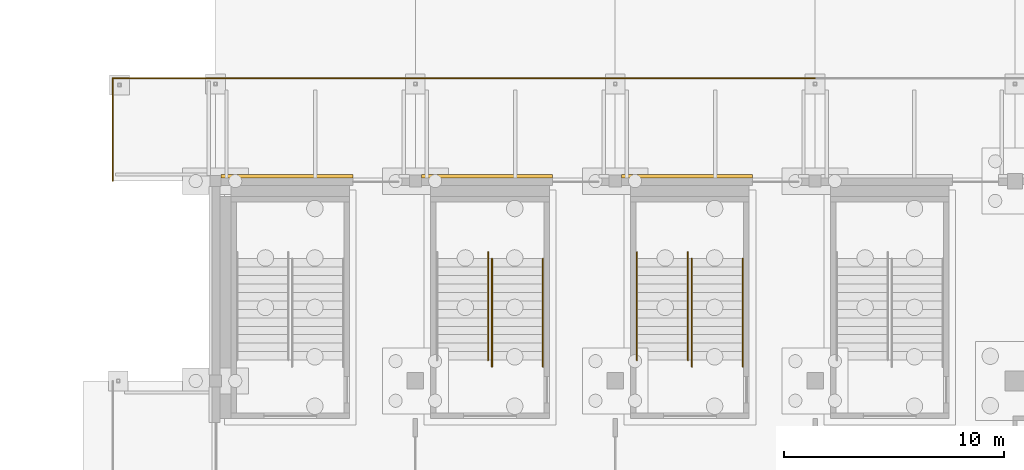
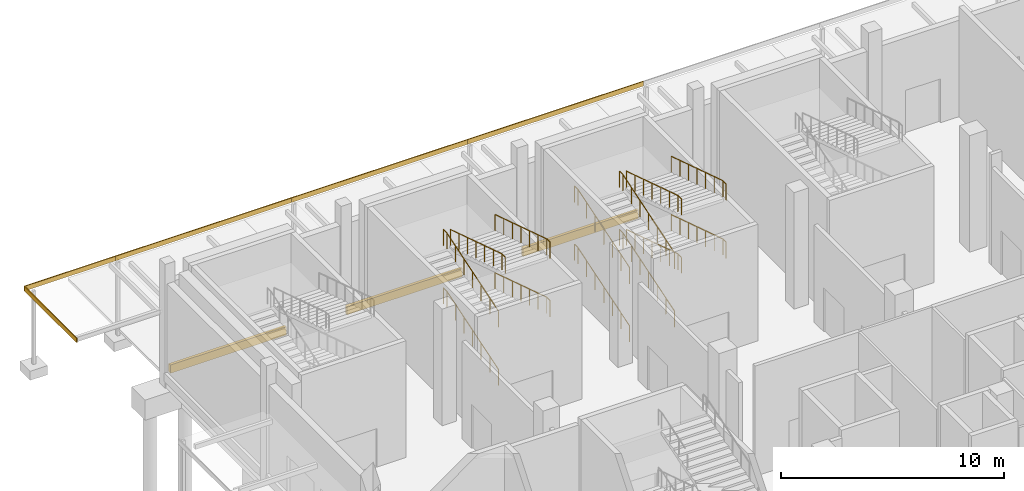
# One storey, part 111 of 129: 13 railings, 8 coverings.
"""IFC4 building model written with IfcOpenShell, lengths in metres."""

from ifc_helpers import new_model, si_unit, direction, frame, origin, origin_2d, place, context, subcontext, project, spatial, rectangle, circle, extrude, material, layer, layer_set, type_object, element, save


model = new_model("IFC4")

# Units and contexts
model_context = context("Model", 3, precision=1e-05, world=origin(), true_north=direction((0.0, 1.0)))
body_context = subcontext(model_context, "Body", "Model", "MODEL_VIEW")
ifc_project = project(units=[si_unit("LENGTHUNIT", "METRE"), si_unit("AREAUNIT", "SQUARE_METRE"), si_unit("VOLUMEUNIT", "CUBIC_METRE"), si_unit("PLANEANGLEUNIT", "RADIAN"), si_unit("MASSUNIT", "GRAM", prefix="KILO")], contexts=[model_context])

# Site, building, storey
site_placement = place(None, origin())
site = spatial("IfcSite", under=ifc_project, at=site_placement, CompositionType="ELEMENT")
building_placement = place(site_placement, origin())
building = spatial("IfcBuilding", under=site, at=building_placement, Name="Shirokan Park Arena", CompositionType="ELEMENT")
storey_placement = place(building_placement, origin())
storey = spatial("IfcBuildingStorey", under=building, at=storey_placement, Name="L00", CompositionType="ELEMENT", Elevation=0.0)

# Coverings
ifc_material_1 = material(Name="Timber fascia (cedar)", Category="wood")
ifc_layer_1 = layer(ifc_material_1, 0.050048828125)
ifc_layer_set_1 = layer_set([ifc_layer_1], Name="Timber fascia (cedar) 50 mm")
covering_type_1 = type_object("IfcCoveringType", Name="Canopy fascia 50x250", PredefinedType="CLADDING", material=ifc_layer_set_1)
for number, where, z_axis, x_axis, name in (
    (1, (22.75, 113.875, 3.5), (0.0, 0.0, 1.0), (-1.0, 0.0, 0.0), "Canopy fascia north bay 14"),
    (2, (13.64990234375, 113.875, 3.5), (0.0, 0.0, 1.0), (-1.0, 0.0, 0.0), "Canopy fascia north bay 15"),
    (3, (4.550048828125, 113.875, 3.5), (0.0, 0.0, 1.0), (-1.0, 0.0, 0.0), "Canopy fascia north bay 16"),
):
    element("IfcCovering", number, at=place(storey_placement, frame(where, z_axis=z_axis, x_axis=x_axis)), inside=storey, type_object=covering_type_1, Name=name, PredefinedType="CLADDING", context=body_context, shape_type="SweptSolid", body=[
        extrude(rectangle(XDim=9.10009765625, YDim=0.050048828125, at=origin_2d()), origin(), (0.0, 0.0, 1.0), 0.25),
    ])
covering_1_placement = place(storey_placement, frame((-2.35009765625, 113.875, 3.5), z_axis=(0.0, 0.0, 1.0), x_axis=(1.0, 0.0, 0.0)))
element("IfcCovering", 4, at=covering_1_placement, inside=storey, type_object=covering_type_1, Name="Canopy fascia NW corner 1", PredefinedType="CLADDING", context=body_context, shape_type="SweptSolid", body=[
    extrude(rectangle(XDim=4.699951171875, YDim=0.050048828125, at=origin_2d()), origin(), (0.0, 0.0, 1.0), 0.25),
])
covering_2_placement = place(storey_placement, frame((-4.675048828125, 111.52490234375, 3.5), z_axis=(0.0, 0.0, 1.0), x_axis=(1.0, 0.0, 0.0)))
element("IfcCovering", 5, at=covering_2_placement, inside=storey, type_object=covering_type_1, Name="Canopy fascia NW corner 2", PredefinedType="CLADDING", context=body_context, shape_type="SweptSolid", body=[
    extrude(rectangle(XDim=0.050048828125, YDim=4.64990234375, at=origin_2d()), origin(), (0.0, 0.0, 1.0), 0.25),
])

# Railings
ifc_material_2 = material(Name="Stainless steel", Category="steel")
railing_type = type_object("IfcRailingType", Name="Stair handrail 900", PredefinedType="HANDRAIL", material=ifc_material_2)
railing_1_placement = place(storey_placement, frame((12.409912109375, 101.050048828125, 0.12255859375)))
element("IfcRailing", 6, at=railing_1_placement, inside=storey, type_object=railing_type, Name="Handrail Exit Stair 4.B L00 to L01", PredefinedType="HANDRAIL", context=body_context, shape_type="SweptSolid", body=[
    extrude(circle(Radius=0.02392578125, at=origin_2d()), frame((0.0, 0.0, 0.8759765625), z_axis=(0.0, 0.952929747917, 0.303191186441), x_axis=(-1.0, 0.0, 0.0)), (0.0, 0.0, 1.0), 1.6162109375),
    extrude(circle(Radius=0.02392578125, at=origin_2d()), frame((0.0, 1.5400390625, 1.36572265625), z_axis=(0.0, 0.952915858112, 0.303234838629), x_axis=(-1.0, 0.0, 0.0)), (0.0, 0.0, 1.0), 1.615966796875),
    extrude(circle(Radius=0.02392578125, at=origin_2d()), frame((0.0, 3.079833984375, 1.85595703125), z_axis=(0.0, 0.952929747917, 0.303191186441), x_axis=(-1.0, 0.0, 0.0)), (0.0, 0.0, 1.0), 1.6162109375),
    extrude(circle(Radius=0.02392578125, at=origin_2d()), frame((0.0, 4.619873046875, 2.345703125), z_axis=(0.0, 1.0, 0.0), x_axis=(-1.0, 0.0, 0.0)), (0.0, 0.0, 1.0), 0.300048828125),
    extrude(circle(Radius=0.02099609375, at=origin_2d()), origin(), (0.0, 0.0, 1.0), 0.851806640625),
    extrude(circle(Radius=0.02099609375, at=origin_2d()), frame((0.0, 0.77001953125, 0.2451171875)), (0.0, 0.0, 1.0), 0.851806640625),
    extrude(circle(Radius=0.02099609375, at=origin_2d()), frame((0.0, 1.5400390625, 0.489990234375)), (0.0, 0.0, 1.0), 0.851806640625),
    extrude(circle(Radius=0.02099609375, at=origin_2d()), frame((0.0, 2.31005859375, 0.73486328125)), (0.0, 0.0, 1.0), 0.851806640625),
    extrude(circle(Radius=0.02099609375, at=origin_2d()), frame((0.0, 3.079833984375, 0.97998046875)), (0.0, 0.0, 1.0), 0.851806640625),
    extrude(circle(Radius=0.02099609375, at=origin_2d()), frame((0.0, 3.849853515625, 1.22509765625)), (0.0, 0.0, 1.0), 0.851806640625),
    extrude(circle(Radius=0.02099609375, at=origin_2d()), frame((0.0, 4.619873046875, 1.469970703125)), (0.0, 0.0, 1.0), 0.851806640625),
    extrude(circle(Radius=0.02099609375, at=origin_2d()), frame((0.0, 4.919921875, 1.469970703125)), (0.0, 0.0, 1.0), 0.851806640625),
])
railing_2_placement = place(storey_placement, frame((14.909912109375, 105.669921875, 1.715087890625)))
element("IfcRailing", 7, at=railing_2_placement, inside=storey, type_object=railing_type, Name="Handrail Exit Stair 4.B L00 to L01", PredefinedType="HANDRAIL", context=body_context, shape_type="SweptSolid", body=[
    extrude(circle(Radius=0.02392578125, at=origin_2d()), frame((0.0, 0.0, 0.8759765625), z_axis=(0.0, -0.952929747917, 0.303191186441), x_axis=(1.0, 0.0, 0.0)), (0.0, 0.0, 1.0), 1.6162109375),
    extrude(circle(Radius=0.02392578125, at=origin_2d()), frame((0.0, -1.5400390625, 1.36572265625), z_axis=(0.0, -0.952915858112, 0.303234838629), x_axis=(1.0, 0.0, 0.0)), (0.0, 0.0, 1.0), 1.615966796875),
    extrude(circle(Radius=0.02392578125, at=origin_2d()), frame((0.0, -3.079833984375, 1.85595703125), z_axis=(0.0, -0.952929747917, 0.303191186441), x_axis=(1.0, 0.0, 0.0)), (0.0, 0.0, 1.0), 1.6162109375),
    extrude(circle(Radius=0.02392578125, at=origin_2d()), frame((0.0, -4.619873046875, 2.345703125), z_axis=(0.0, -1.0, 0.0), x_axis=(1.0, 0.0, 0.0)), (0.0, 0.0, 1.0), 0.300048828125),
    extrude(circle(Radius=0.02099609375, at=origin_2d()), origin(), (0.0, 0.0, 1.0), 0.851806640625),
    extrude(circle(Radius=0.02099609375, at=origin_2d()), frame((0.0, -0.77001953125, 0.2451171875)), (0.0, 0.0, 1.0), 0.851806640625),
    extrude(circle(Radius=0.02099609375, at=origin_2d()), frame((0.0, -1.5400390625, 0.489990234375)), (0.0, 0.0, 1.0), 0.851806640625),
    extrude(circle(Radius=0.02099609375, at=origin_2d()), frame((0.0, -2.31005859375, 0.73486328125)), (0.0, 0.0, 1.0), 0.851806640625),
    extrude(circle(Radius=0.02099609375, at=origin_2d()), frame((0.0, -3.079833984375, 0.97998046875)), (0.0, 0.0, 1.0), 0.851806640625),
    extrude(circle(Radius=0.02099609375, at=origin_2d()), frame((0.0, -3.849853515625, 1.22509765625)), (0.0, 0.0, 1.0), 0.851806640625),
    extrude(circle(Radius=0.02099609375, at=origin_2d()), frame((0.0, -4.619873046875, 1.469970703125)), (0.0, 0.0, 1.0), 0.851806640625),
    extrude(circle(Radius=0.02099609375, at=origin_2d()), frame((0.0, -4.919921875, 1.469970703125)), (0.0, 0.0, 1.0), 0.851806640625),
])
railing_3_placement = place(storey_placement, frame((12.409912109375, 101.050048828125, 3.3076171875)))
element("IfcRailing", 8, at=railing_3_placement, inside=storey, type_object=railing_type, Name="Handrail Exit Stair 4.B L00 to L01", PredefinedType="HANDRAIL", context=body_context, shape_type="SweptSolid", body=[
    extrude(circle(Radius=0.02392578125, at=origin_2d()), frame((0.0, 0.0, 0.8759765625), z_axis=(0.0, 0.952929747917, 0.303191186441), x_axis=(-1.0, 0.0, 0.0)), (0.0, 0.0, 1.0), 1.6162109375),
    extrude(circle(Radius=0.02392578125, at=origin_2d()), frame((0.0, 1.5400390625, 1.36572265625), z_axis=(0.0, 0.952915858112, 0.303234838629), x_axis=(-1.0, 0.0, 0.0)), (0.0, 0.0, 1.0), 1.615966796875),
    extrude(circle(Radius=0.02392578125, at=origin_2d()), frame((0.0, 3.079833984375, 1.85595703125), z_axis=(0.0, 0.952929747917, 0.303191186441), x_axis=(-1.0, 0.0, 0.0)), (0.0, 0.0, 1.0), 1.6162109375),
    extrude(circle(Radius=0.02392578125, at=origin_2d()), frame((0.0, 4.619873046875, 2.345703125), z_axis=(0.0, 1.0, 0.0), x_axis=(-1.0, 0.0, 0.0)), (0.0, 0.0, 1.0), 0.300048828125),
    extrude(circle(Radius=0.02099609375, at=origin_2d()), origin(), (0.0, 0.0, 1.0), 0.851806640625),
    extrude(circle(Radius=0.02099609375, at=origin_2d()), frame((0.0, 0.77001953125, 0.2451171875)), (0.0, 0.0, 1.0), 0.851806640625),
    extrude(circle(Radius=0.02099609375, at=origin_2d()), frame((0.0, 1.5400390625, 0.489990234375)), (0.0, 0.0, 1.0), 0.851806640625),
    extrude(circle(Radius=0.02099609375, at=origin_2d()), frame((0.0, 2.31005859375, 0.73486328125)), (0.0, 0.0, 1.0), 0.851806640625),
    extrude(circle(Radius=0.02099609375, at=origin_2d()), frame((0.0, 3.079833984375, 0.97998046875)), (0.0, 0.0, 1.0), 0.851806640625),
    extrude(circle(Radius=0.02099609375, at=origin_2d()), frame((0.0, 3.849853515625, 1.22509765625)), (0.0, 0.0, 1.0), 0.851806640625),
    extrude(circle(Radius=0.02099609375, at=origin_2d()), frame((0.0, 4.619873046875, 1.469970703125)), (0.0, 0.0, 1.0), 0.851806640625),
    extrude(circle(Radius=0.02099609375, at=origin_2d()), frame((0.0, 4.919921875, 1.469970703125)), (0.0, 0.0, 1.0), 0.851806640625),
])
railing_4_placement = place(storey_placement, frame((12.590087890625, 105.669921875, 4.89990234375)))
element("IfcRailing", 9, at=railing_4_placement, inside=storey, type_object=railing_type, Name="Handrail Exit Stair 4.B L00 to L01", PredefinedType="HANDRAIL", context=body_context, shape_type="SweptSolid", body=[
    extrude(circle(Radius=0.02392578125, at=origin_2d()), frame((0.0, 0.0, 0.8759765625), z_axis=(0.0, -0.952929747917, 0.303191186441), x_axis=(1.0, 0.0, 0.0)), (0.0, 0.0, 1.0), 1.6162109375),
    extrude(circle(Radius=0.02392578125, at=origin_2d()), frame((0.0, -1.5400390625, 1.36572265625), z_axis=(0.0, -0.952915858112, 0.303234838629), x_axis=(1.0, 0.0, 0.0)), (0.0, 0.0, 1.0), 1.615966796875),
    extrude(circle(Radius=0.02392578125, at=origin_2d()), frame((0.0, -3.079833984375, 1.85595703125), z_axis=(0.0, -0.952886093821, 0.303328357069), x_axis=(1.0, 0.0, 0.0)), (0.0, 0.0, 1.0), 1.6162109375),
    extrude(circle(Radius=0.02392578125, at=origin_2d()), frame((0.0, -4.619873046875, 2.34619140625), z_axis=(0.0, -1.0, 0.0), x_axis=(1.0, 0.0, 0.0)), (0.0, 0.0, 1.0), 0.300048828125),
    extrude(circle(Radius=0.02099609375, at=origin_2d()), origin(), (0.0, 0.0, 1.0), 0.851806640625),
    extrude(circle(Radius=0.02099609375, at=origin_2d()), frame((0.0, -0.77001953125, 0.2451171875)), (0.0, 0.0, 1.0), 0.851806640625),
    extrude(circle(Radius=0.02099609375, at=origin_2d()), frame((0.0, -1.5400390625, 0.489990234375)), (0.0, 0.0, 1.0), 0.851806640625),
    extrude(circle(Radius=0.02099609375, at=origin_2d()), frame((0.0, -2.31005859375, 0.73486328125)), (0.0, 0.0, 1.0), 0.851806640625),
    extrude(circle(Radius=0.02099609375, at=origin_2d()), frame((0.0, -3.079833984375, 0.97998046875)), (0.0, 0.0, 1.0), 0.851806640625),
    extrude(circle(Radius=0.02099609375, at=origin_2d()), frame((0.0, -3.849853515625, 1.22509765625)), (0.0, 0.0, 1.0), 0.851806640625),
    extrude(circle(Radius=0.02099609375, at=origin_2d()), frame((0.0, -4.619873046875, 1.47021484375)), (0.0, 0.0, 1.0), 0.851806640625),
    extrude(circle(Radius=0.02099609375, at=origin_2d()), frame((0.0, -4.919921875, 1.47021484375)), (0.0, 0.0, 1.0), 0.851806640625),
])
railing_5_placement = place(storey_placement, frame((14.909912109375, 105.669921875, 4.89990234375)))
element("IfcRailing", 10, at=railing_5_placement, inside=storey, type_object=railing_type, Name="Handrail Exit Stair 4.B L00 to L01", PredefinedType="HANDRAIL", context=body_context, shape_type="SweptSolid", body=[
    extrude(circle(Radius=0.02392578125, at=origin_2d()), frame((0.0, 0.0, 0.8759765625), z_axis=(0.0, -0.952929747917, 0.303191186441), x_axis=(1.0, 0.0, 0.0)), (0.0, 0.0, 1.0), 1.6162109375),
    extrude(circle(Radius=0.02392578125, at=origin_2d()), frame((0.0, -1.5400390625, 1.36572265625), z_axis=(0.0, -0.952915858112, 0.303234838629), x_axis=(1.0, 0.0, 0.0)), (0.0, 0.0, 1.0), 1.615966796875),
    extrude(circle(Radius=0.02392578125, at=origin_2d()), frame((0.0, -3.079833984375, 1.85595703125), z_axis=(0.0, -0.952886093821, 0.303328357069), x_axis=(1.0, 0.0, 0.0)), (0.0, 0.0, 1.0), 1.6162109375),
    extrude(circle(Radius=0.02392578125, at=origin_2d()), frame((0.0, -4.619873046875, 2.34619140625), z_axis=(0.0, -1.0, 0.0), x_axis=(1.0, 0.0, 0.0)), (0.0, 0.0, 1.0), 0.300048828125),
    extrude(circle(Radius=0.02099609375, at=origin_2d()), origin(), (0.0, 0.0, 1.0), 0.851806640625),
    extrude(circle(Radius=0.02099609375, at=origin_2d()), frame((0.0, -0.77001953125, 0.2451171875)), (0.0, 0.0, 1.0), 0.851806640625),
    extrude(circle(Radius=0.02099609375, at=origin_2d()), frame((0.0, -1.5400390625, 0.489990234375)), (0.0, 0.0, 1.0), 0.851806640625),
    extrude(circle(Radius=0.02099609375, at=origin_2d()), frame((0.0, -2.31005859375, 0.73486328125)), (0.0, 0.0, 1.0), 0.851806640625),
    extrude(circle(Radius=0.02099609375, at=origin_2d()), frame((0.0, -3.079833984375, 0.97998046875)), (0.0, 0.0, 1.0), 0.851806640625),
    extrude(circle(Radius=0.02099609375, at=origin_2d()), frame((0.0, -3.849853515625, 1.22509765625)), (0.0, 0.0, 1.0), 0.851806640625),
    extrude(circle(Radius=0.02099609375, at=origin_2d()), frame((0.0, -4.619873046875, 1.47021484375)), (0.0, 0.0, 1.0), 0.851806640625),
    extrude(circle(Radius=0.02099609375, at=origin_2d()), frame((0.0, -4.919921875, 1.47021484375)), (0.0, 0.0, 1.0), 0.851806640625),
])
railing_6_placement = place(storey_placement, frame((19.18994140625, 101.050048828125, 0.12255859375)))
element("IfcRailing", 11, at=railing_6_placement, inside=storey, type_object=railing_type, Name="Handrail Exit Stair 4.C L00 to L01", PredefinedType="HANDRAIL", context=body_context, shape_type="SweptSolid", body=[
    extrude(circle(Radius=0.02392578125, at=origin_2d()), frame((0.0, 0.0, 0.8759765625), z_axis=(0.0, 0.952929747917, 0.303191186441), x_axis=(-1.0, 0.0, 0.0)), (0.0, 0.0, 1.0), 1.6162109375),
    extrude(circle(Radius=0.02392578125, at=origin_2d()), frame((0.0, 1.5400390625, 1.36572265625), z_axis=(0.0, 0.952915858112, 0.303234838629), x_axis=(-1.0, 0.0, 0.0)), (0.0, 0.0, 1.0), 1.615966796875),
    extrude(circle(Radius=0.02392578125, at=origin_2d()), frame((0.0, 3.079833984375, 1.85595703125), z_axis=(0.0, 0.952929747917, 0.303191186441), x_axis=(-1.0, 0.0, 0.0)), (0.0, 0.0, 1.0), 1.6162109375),
    extrude(circle(Radius=0.02392578125, at=origin_2d()), frame((0.0, 4.619873046875, 2.345703125), z_axis=(0.0, 1.0, 0.0), x_axis=(-1.0, 0.0, 0.0)), (0.0, 0.0, 1.0), 0.300048828125),
    extrude(circle(Radius=0.02099609375, at=origin_2d()), origin(), (0.0, 0.0, 1.0), 0.851806640625),
    extrude(circle(Radius=0.02099609375, at=origin_2d()), frame((0.0, 0.77001953125, 0.2451171875)), (0.0, 0.0, 1.0), 0.851806640625),
    extrude(circle(Radius=0.02099609375, at=origin_2d()), frame((0.0, 1.5400390625, 0.489990234375)), (0.0, 0.0, 1.0), 0.851806640625),
    extrude(circle(Radius=0.02099609375, at=origin_2d()), frame((0.0, 2.31005859375, 0.73486328125)), (0.0, 0.0, 1.0), 0.851806640625),
    extrude(circle(Radius=0.02099609375, at=origin_2d()), frame((0.0, 3.079833984375, 0.97998046875)), (0.0, 0.0, 1.0), 0.851806640625),
    extrude(circle(Radius=0.02099609375, at=origin_2d()), frame((0.0, 3.849853515625, 1.22509765625)), (0.0, 0.0, 1.0), 0.851806640625),
    extrude(circle(Radius=0.02099609375, at=origin_2d()), frame((0.0, 4.619873046875, 1.469970703125)), (0.0, 0.0, 1.0), 0.851806640625),
    extrude(circle(Radius=0.02099609375, at=origin_2d()), frame((0.0, 4.919921875, 1.469970703125)), (0.0, 0.0, 1.0), 0.851806640625),
])
railing_7_placement = place(storey_placement, frame((21.510009765625, 101.050048828125, 0.12255859375)))
element("IfcRailing", 12, at=railing_7_placement, inside=storey, type_object=railing_type, Name="Handrail Exit Stair 4.C L00 to L01", PredefinedType="HANDRAIL", context=body_context, shape_type="SweptSolid", body=[
    extrude(circle(Radius=0.02392578125, at=origin_2d()), frame((0.0, 0.0, 0.8759765625), z_axis=(0.0, 0.952929747917, 0.303191186441), x_axis=(-1.0, 0.0, 0.0)), (0.0, 0.0, 1.0), 1.6162109375),
    extrude(circle(Radius=0.02392578125, at=origin_2d()), frame((0.0, 1.5400390625, 1.36572265625), z_axis=(0.0, 0.952915858112, 0.303234838629), x_axis=(-1.0, 0.0, 0.0)), (0.0, 0.0, 1.0), 1.615966796875),
    extrude(circle(Radius=0.02392578125, at=origin_2d()), frame((0.0, 3.079833984375, 1.85595703125), z_axis=(0.0, 0.952929747917, 0.303191186441), x_axis=(-1.0, 0.0, 0.0)), (0.0, 0.0, 1.0), 1.6162109375),
    extrude(circle(Radius=0.02392578125, at=origin_2d()), frame((0.0, 4.619873046875, 2.345703125), z_axis=(0.0, 1.0, 0.0), x_axis=(-1.0, 0.0, 0.0)), (0.0, 0.0, 1.0), 0.300048828125),
    extrude(circle(Radius=0.02099609375, at=origin_2d()), origin(), (0.0, 0.0, 1.0), 0.851806640625),
    extrude(circle(Radius=0.02099609375, at=origin_2d()), frame((0.0, 0.77001953125, 0.2451171875)), (0.0, 0.0, 1.0), 0.851806640625),
    extrude(circle(Radius=0.02099609375, at=origin_2d()), frame((0.0, 1.5400390625, 0.489990234375)), (0.0, 0.0, 1.0), 0.851806640625),
    extrude(circle(Radius=0.02099609375, at=origin_2d()), frame((0.0, 2.31005859375, 0.73486328125)), (0.0, 0.0, 1.0), 0.851806640625),
    extrude(circle(Radius=0.02099609375, at=origin_2d()), frame((0.0, 3.079833984375, 0.97998046875)), (0.0, 0.0, 1.0), 0.851806640625),
    extrude(circle(Radius=0.02099609375, at=origin_2d()), frame((0.0, 3.849853515625, 1.22509765625)), (0.0, 0.0, 1.0), 0.851806640625),
    extrude(circle(Radius=0.02099609375, at=origin_2d()), frame((0.0, 4.619873046875, 1.469970703125)), (0.0, 0.0, 1.0), 0.851806640625),
    extrude(circle(Radius=0.02099609375, at=origin_2d()), frame((0.0, 4.919921875, 1.469970703125)), (0.0, 0.0, 1.0), 0.851806640625),
])
railing_8_placement = place(storey_placement, frame((21.68994140625, 105.669921875, 1.715087890625)))
element("IfcRailing", 13, at=railing_8_placement, inside=storey, type_object=railing_type, Name="Handrail Exit Stair 4.C L00 to L01", PredefinedType="HANDRAIL", context=body_context, shape_type="SweptSolid", body=[
    extrude(circle(Radius=0.02392578125, at=origin_2d()), frame((0.0, 0.0, 0.8759765625), z_axis=(0.0, -0.952929747917, 0.303191186441), x_axis=(1.0, 0.0, 0.0)), (0.0, 0.0, 1.0), 1.6162109375),
    extrude(circle(Radius=0.02392578125, at=origin_2d()), frame((0.0, -1.5400390625, 1.36572265625), z_axis=(0.0, -0.952915858112, 0.303234838629), x_axis=(1.0, 0.0, 0.0)), (0.0, 0.0, 1.0), 1.615966796875),
    extrude(circle(Radius=0.02392578125, at=origin_2d()), frame((0.0, -3.079833984375, 1.85595703125), z_axis=(0.0, -0.952929747917, 0.303191186441), x_axis=(1.0, 0.0, 0.0)), (0.0, 0.0, 1.0), 1.6162109375),
    extrude(circle(Radius=0.02392578125, at=origin_2d()), frame((0.0, -4.619873046875, 2.345703125), z_axis=(0.0, -1.0, 0.0), x_axis=(1.0, 0.0, 0.0)), (0.0, 0.0, 1.0), 0.300048828125),
    extrude(circle(Radius=0.02099609375, at=origin_2d()), origin(), (0.0, 0.0, 1.0), 0.851806640625),
    extrude(circle(Radius=0.02099609375, at=origin_2d()), frame((0.0, -0.77001953125, 0.2451171875)), (0.0, 0.0, 1.0), 0.851806640625),
    extrude(circle(Radius=0.02099609375, at=origin_2d()), frame((0.0, -1.5400390625, 0.489990234375)), (0.0, 0.0, 1.0), 0.851806640625),
    extrude(circle(Radius=0.02099609375, at=origin_2d()), frame((0.0, -2.31005859375, 0.73486328125)), (0.0, 0.0, 1.0), 0.851806640625),
    extrude(circle(Radius=0.02099609375, at=origin_2d()), frame((0.0, -3.079833984375, 0.97998046875)), (0.0, 0.0, 1.0), 0.851806640625),
    extrude(circle(Radius=0.02099609375, at=origin_2d()), frame((0.0, -3.849853515625, 1.22509765625)), (0.0, 0.0, 1.0), 0.851806640625),
    extrude(circle(Radius=0.02099609375, at=origin_2d()), frame((0.0, -4.619873046875, 1.469970703125)), (0.0, 0.0, 1.0), 0.851806640625),
    extrude(circle(Radius=0.02099609375, at=origin_2d()), frame((0.0, -4.919921875, 1.469970703125)), (0.0, 0.0, 1.0), 0.851806640625),
])
railing_9_placement = place(storey_placement, frame((24.010009765625, 105.669921875, 1.715087890625)))
element("IfcRailing", 14, at=railing_9_placement, inside=storey, type_object=railing_type, Name="Handrail Exit Stair 4.C L00 to L01", PredefinedType="HANDRAIL", context=body_context, shape_type="SweptSolid", body=[
    extrude(circle(Radius=0.02392578125, at=origin_2d()), frame((0.0, 0.0, 0.8759765625), z_axis=(0.0, -0.952929747917, 0.303191186441), x_axis=(1.0, 0.0, 0.0)), (0.0, 0.0, 1.0), 1.6162109375),
    extrude(circle(Radius=0.02392578125, at=origin_2d()), frame((0.0, -1.5400390625, 1.36572265625), z_axis=(0.0, -0.952915858112, 0.303234838629), x_axis=(1.0, 0.0, 0.0)), (0.0, 0.0, 1.0), 1.615966796875),
    extrude(circle(Radius=0.02392578125, at=origin_2d()), frame((0.0, -3.079833984375, 1.85595703125), z_axis=(0.0, -0.952929747917, 0.303191186441), x_axis=(1.0, 0.0, 0.0)), (0.0, 0.0, 1.0), 1.6162109375),
    extrude(circle(Radius=0.02392578125, at=origin_2d()), frame((0.0, -4.619873046875, 2.345703125), z_axis=(0.0, -1.0, 0.0), x_axis=(1.0, 0.0, 0.0)), (0.0, 0.0, 1.0), 0.300048828125),
    extrude(circle(Radius=0.02099609375, at=origin_2d()), origin(), (0.0, 0.0, 1.0), 0.851806640625),
    extrude(circle(Radius=0.02099609375, at=origin_2d()), frame((0.0, -0.77001953125, 0.2451171875)), (0.0, 0.0, 1.0), 0.851806640625),
    extrude(circle(Radius=0.02099609375, at=origin_2d()), frame((0.0, -1.5400390625, 0.489990234375)), (0.0, 0.0, 1.0), 0.851806640625),
    extrude(circle(Radius=0.02099609375, at=origin_2d()), frame((0.0, -2.31005859375, 0.73486328125)), (0.0, 0.0, 1.0), 0.851806640625),
    extrude(circle(Radius=0.02099609375, at=origin_2d()), frame((0.0, -3.079833984375, 0.97998046875)), (0.0, 0.0, 1.0), 0.851806640625),
    extrude(circle(Radius=0.02099609375, at=origin_2d()), frame((0.0, -3.849853515625, 1.22509765625)), (0.0, 0.0, 1.0), 0.851806640625),
    extrude(circle(Radius=0.02099609375, at=origin_2d()), frame((0.0, -4.619873046875, 1.469970703125)), (0.0, 0.0, 1.0), 0.851806640625),
    extrude(circle(Radius=0.02099609375, at=origin_2d()), frame((0.0, -4.919921875, 1.469970703125)), (0.0, 0.0, 1.0), 0.851806640625),
])
railing_10_placement = place(storey_placement, frame((19.18994140625, 101.050048828125, 3.3076171875)))
element("IfcRailing", 15, at=railing_10_placement, inside=storey, type_object=railing_type, Name="Handrail Exit Stair 4.C L00 to L01", PredefinedType="HANDRAIL", context=body_context, shape_type="SweptSolid", body=[
    extrude(circle(Radius=0.02392578125, at=origin_2d()), frame((0.0, 0.0, 0.8759765625), z_axis=(0.0, 0.952929747917, 0.303191186441), x_axis=(-1.0, 0.0, 0.0)), (0.0, 0.0, 1.0), 1.6162109375),
    extrude(circle(Radius=0.02392578125, at=origin_2d()), frame((0.0, 1.5400390625, 1.36572265625), z_axis=(0.0, 0.952915858112, 0.303234838629), x_axis=(-1.0, 0.0, 0.0)), (0.0, 0.0, 1.0), 1.615966796875),
    extrude(circle(Radius=0.02392578125, at=origin_2d()), frame((0.0, 3.079833984375, 1.85595703125), z_axis=(0.0, 0.952929747917, 0.303191186441), x_axis=(-1.0, 0.0, 0.0)), (0.0, 0.0, 1.0), 1.6162109375),
    extrude(circle(Radius=0.02392578125, at=origin_2d()), frame((0.0, 4.619873046875, 2.345703125), z_axis=(0.0, 1.0, 0.0), x_axis=(-1.0, 0.0, 0.0)), (0.0, 0.0, 1.0), 0.300048828125),
    extrude(circle(Radius=0.02099609375, at=origin_2d()), origin(), (0.0, 0.0, 1.0), 0.851806640625),
    extrude(circle(Radius=0.02099609375, at=origin_2d()), frame((0.0, 0.77001953125, 0.2451171875)), (0.0, 0.0, 1.0), 0.851806640625),
    extrude(circle(Radius=0.02099609375, at=origin_2d()), frame((0.0, 1.5400390625, 0.489990234375)), (0.0, 0.0, 1.0), 0.851806640625),
    extrude(circle(Radius=0.02099609375, at=origin_2d()), frame((0.0, 2.31005859375, 0.73486328125)), (0.0, 0.0, 1.0), 0.851806640625),
    extrude(circle(Radius=0.02099609375, at=origin_2d()), frame((0.0, 3.079833984375, 0.97998046875)), (0.0, 0.0, 1.0), 0.851806640625),
    extrude(circle(Radius=0.02099609375, at=origin_2d()), frame((0.0, 3.849853515625, 1.22509765625)), (0.0, 0.0, 1.0), 0.851806640625),
    extrude(circle(Radius=0.02099609375, at=origin_2d()), frame((0.0, 4.619873046875, 1.469970703125)), (0.0, 0.0, 1.0), 0.851806640625),
    extrude(circle(Radius=0.02099609375, at=origin_2d()), frame((0.0, 4.919921875, 1.469970703125)), (0.0, 0.0, 1.0), 0.851806640625),
])
railing_11_placement = place(storey_placement, frame((21.510009765625, 101.050048828125, 3.3076171875)))
element("IfcRailing", 16, at=railing_11_placement, inside=storey, type_object=railing_type, Name="Handrail Exit Stair 4.C L00 to L01", PredefinedType="HANDRAIL", context=body_context, shape_type="SweptSolid", body=[
    extrude(circle(Radius=0.02392578125, at=origin_2d()), frame((0.0, 0.0, 0.8759765625), z_axis=(0.0, 0.952929747917, 0.303191186441), x_axis=(-1.0, 0.0, 0.0)), (0.0, 0.0, 1.0), 1.6162109375),
    extrude(circle(Radius=0.02392578125, at=origin_2d()), frame((0.0, 1.5400390625, 1.36572265625), z_axis=(0.0, 0.952915858112, 0.303234838629), x_axis=(-1.0, 0.0, 0.0)), (0.0, 0.0, 1.0), 1.615966796875),
    extrude(circle(Radius=0.02392578125, at=origin_2d()), frame((0.0, 3.079833984375, 1.85595703125), z_axis=(0.0, 0.952929747917, 0.303191186441), x_axis=(-1.0, 0.0, 0.0)), (0.0, 0.0, 1.0), 1.6162109375),
    extrude(circle(Radius=0.02392578125, at=origin_2d()), frame((0.0, 4.619873046875, 2.345703125), z_axis=(0.0, 1.0, 0.0), x_axis=(-1.0, 0.0, 0.0)), (0.0, 0.0, 1.0), 0.300048828125),
    extrude(circle(Radius=0.02099609375, at=origin_2d()), origin(), (0.0, 0.0, 1.0), 0.851806640625),
    extrude(circle(Radius=0.02099609375, at=origin_2d()), frame((0.0, 0.77001953125, 0.2451171875)), (0.0, 0.0, 1.0), 0.851806640625),
    extrude(circle(Radius=0.02099609375, at=origin_2d()), frame((0.0, 1.5400390625, 0.489990234375)), (0.0, 0.0, 1.0), 0.851806640625),
    extrude(circle(Radius=0.02099609375, at=origin_2d()), frame((0.0, 2.31005859375, 0.73486328125)), (0.0, 0.0, 1.0), 0.851806640625),
    extrude(circle(Radius=0.02099609375, at=origin_2d()), frame((0.0, 3.079833984375, 0.97998046875)), (0.0, 0.0, 1.0), 0.851806640625),
    extrude(circle(Radius=0.02099609375, at=origin_2d()), frame((0.0, 3.849853515625, 1.22509765625)), (0.0, 0.0, 1.0), 0.851806640625),
    extrude(circle(Radius=0.02099609375, at=origin_2d()), frame((0.0, 4.619873046875, 1.469970703125)), (0.0, 0.0, 1.0), 0.851806640625),
    extrude(circle(Radius=0.02099609375, at=origin_2d()), frame((0.0, 4.919921875, 1.469970703125)), (0.0, 0.0, 1.0), 0.851806640625),
])
railing_12_placement = place(storey_placement, frame((21.68994140625, 105.669921875, 4.89990234375)))
element("IfcRailing", 17, at=railing_12_placement, inside=storey, type_object=railing_type, Name="Handrail Exit Stair 4.C L00 to L01", PredefinedType="HANDRAIL", context=body_context, shape_type="SweptSolid", body=[
    extrude(circle(Radius=0.02392578125, at=origin_2d()), frame((0.0, 0.0, 0.8759765625), z_axis=(0.0, -0.952929747917, 0.303191186441), x_axis=(1.0, 0.0, 0.0)), (0.0, 0.0, 1.0), 1.6162109375),
    extrude(circle(Radius=0.02392578125, at=origin_2d()), frame((0.0, -1.5400390625, 1.36572265625), z_axis=(0.0, -0.952915858112, 0.303234838629), x_axis=(1.0, 0.0, 0.0)), (0.0, 0.0, 1.0), 1.615966796875),
    extrude(circle(Radius=0.02392578125, at=origin_2d()), frame((0.0, -3.079833984375, 1.85595703125), z_axis=(0.0, -0.952886093821, 0.303328357069), x_axis=(1.0, 0.0, 0.0)), (0.0, 0.0, 1.0), 1.6162109375),
    extrude(circle(Radius=0.02392578125, at=origin_2d()), frame((0.0, -4.619873046875, 2.34619140625), z_axis=(0.0, -1.0, 0.0), x_axis=(1.0, 0.0, 0.0)), (0.0, 0.0, 1.0), 0.300048828125),
    extrude(circle(Radius=0.02099609375, at=origin_2d()), origin(), (0.0, 0.0, 1.0), 0.851806640625),
    extrude(circle(Radius=0.02099609375, at=origin_2d()), frame((0.0, -0.77001953125, 0.2451171875)), (0.0, 0.0, 1.0), 0.851806640625),
    extrude(circle(Radius=0.02099609375, at=origin_2d()), frame((0.0, -1.5400390625, 0.489990234375)), (0.0, 0.0, 1.0), 0.851806640625),
    extrude(circle(Radius=0.02099609375, at=origin_2d()), frame((0.0, -2.31005859375, 0.73486328125)), (0.0, 0.0, 1.0), 0.851806640625),
    extrude(circle(Radius=0.02099609375, at=origin_2d()), frame((0.0, -3.079833984375, 0.97998046875)), (0.0, 0.0, 1.0), 0.851806640625),
    extrude(circle(Radius=0.02099609375, at=origin_2d()), frame((0.0, -3.849853515625, 1.22509765625)), (0.0, 0.0, 1.0), 0.851806640625),
    extrude(circle(Radius=0.02099609375, at=origin_2d()), frame((0.0, -4.619873046875, 1.47021484375)), (0.0, 0.0, 1.0), 0.851806640625),
    extrude(circle(Radius=0.02099609375, at=origin_2d()), frame((0.0, -4.919921875, 1.47021484375)), (0.0, 0.0, 1.0), 0.851806640625),
])
railing_13_placement = place(storey_placement, frame((24.010009765625, 105.669921875, 4.89990234375)))
element("IfcRailing", 18, at=railing_13_placement, inside=storey, type_object=railing_type, Name="Handrail Exit Stair 4.C L00 to L01", PredefinedType="HANDRAIL", context=body_context, shape_type="SweptSolid", body=[
    extrude(circle(Radius=0.02392578125, at=origin_2d()), frame((0.0, 0.0, 0.8759765625), z_axis=(0.0, -0.952929747917, 0.303191186441), x_axis=(1.0, 0.0, 0.0)), (0.0, 0.0, 1.0), 1.6162109375),
    extrude(circle(Radius=0.02392578125, at=origin_2d()), frame((0.0, -1.5400390625, 1.36572265625), z_axis=(0.0, -0.952915858112, 0.303234838629), x_axis=(1.0, 0.0, 0.0)), (0.0, 0.0, 1.0), 1.615966796875),
    extrude(circle(Radius=0.02392578125, at=origin_2d()), frame((0.0, -3.079833984375, 1.85595703125), z_axis=(0.0, -0.952886093821, 0.303328357069), x_axis=(1.0, 0.0, 0.0)), (0.0, 0.0, 1.0), 1.6162109375),
    extrude(circle(Radius=0.02392578125, at=origin_2d()), frame((0.0, -4.619873046875, 2.34619140625), z_axis=(0.0, -1.0, 0.0), x_axis=(1.0, 0.0, 0.0)), (0.0, 0.0, 1.0), 0.300048828125),
    extrude(circle(Radius=0.02099609375, at=origin_2d()), origin(), (0.0, 0.0, 1.0), 0.851806640625),
    extrude(circle(Radius=0.02099609375, at=origin_2d()), frame((0.0, -0.77001953125, 0.2451171875)), (0.0, 0.0, 1.0), 0.851806640625),
    extrude(circle(Radius=0.02099609375, at=origin_2d()), frame((0.0, -1.5400390625, 0.489990234375)), (0.0, 0.0, 1.0), 0.851806640625),
    extrude(circle(Radius=0.02099609375, at=origin_2d()), frame((0.0, -2.31005859375, 0.73486328125)), (0.0, 0.0, 1.0), 0.851806640625),
    extrude(circle(Radius=0.02099609375, at=origin_2d()), frame((0.0, -3.079833984375, 0.97998046875)), (0.0, 0.0, 1.0), 0.851806640625),
    extrude(circle(Radius=0.02099609375, at=origin_2d()), frame((0.0, -3.849853515625, 1.22509765625)), (0.0, 0.0, 1.0), 0.851806640625),
    extrude(circle(Radius=0.02099609375, at=origin_2d()), frame((0.0, -4.619873046875, 1.47021484375)), (0.0, 0.0, 1.0), 0.851806640625),
    extrude(circle(Radius=0.02099609375, at=origin_2d()), frame((0.0, -4.919921875, 1.47021484375)), (0.0, 0.0, 1.0), 0.851806640625),
])

# Coverings
ifc_material_3 = material(Name="Natural stone", Category="masonry")
ifc_layer_2 = layer(ifc_material_3, 0.14990234375)
ifc_layer_set_2 = layer_set([ifc_layer_2], Name="Natural stone 150 mm")
covering_type_2 = type_object("IfcCoveringType", Name="Stone plinth 150x450", PredefinedType="CLADDING", material=ifc_layer_set_2)
for number, where, z_axis, x_axis, name in (
    (19, (21.46240234375, 109.425048828125, 0.0), (0.0, 0.0, 1.0), (-1.0, 0.0, 0.0), "Stone plinth north bay 14"),
    (20, (12.362548828125, 109.425048828125, 0.0), (0.0, 0.0, 1.0), (-1.0, 0.0, 0.0), "Stone plinth north bay 15"),
):
    element("IfcCovering", number, at=place(storey_placement, frame(where, z_axis=z_axis, x_axis=x_axis)), inside=storey, type_object=covering_type_2, Name=name, PredefinedType="CLADDING", context=body_context, shape_type="SweptSolid", body=[
        extrude(rectangle(XDim=5.97509765625, YDim=0.14990234375, at=origin_2d()), origin(), (0.0, 0.0, 1.0), 0.449951171875),
    ])
covering_3_placement = place(storey_placement, frame((3.25, 109.425048828125, 0.0), z_axis=(0.0, 0.0, 1.0), x_axis=(-1.0, 0.0, 0.0)))
element("IfcCovering", 21, at=covering_3_placement, inside=storey, type_object=covering_type_2, Name="Stone plinth north bay 16", PredefinedType="CLADDING", context=body_context, shape_type="SweptSolid", body=[
    extrude(rectangle(XDim=6.0, YDim=0.14990234375, at=origin_2d()), origin(), (0.0, 0.0, 1.0), 0.449951171875),
])

save(model, "model.ifc")
